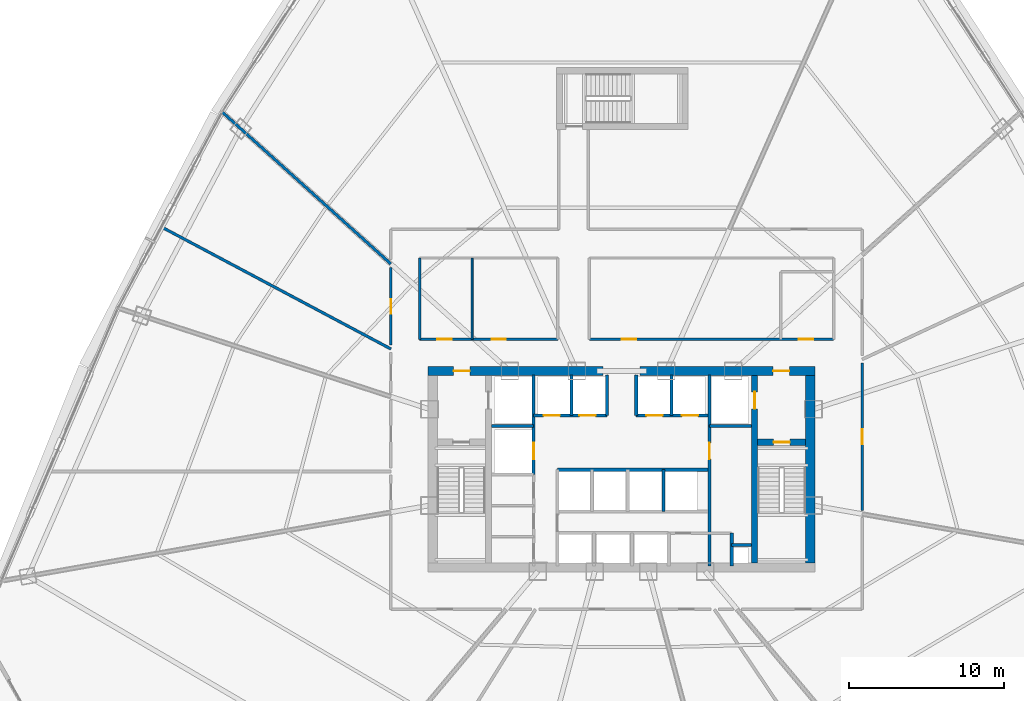
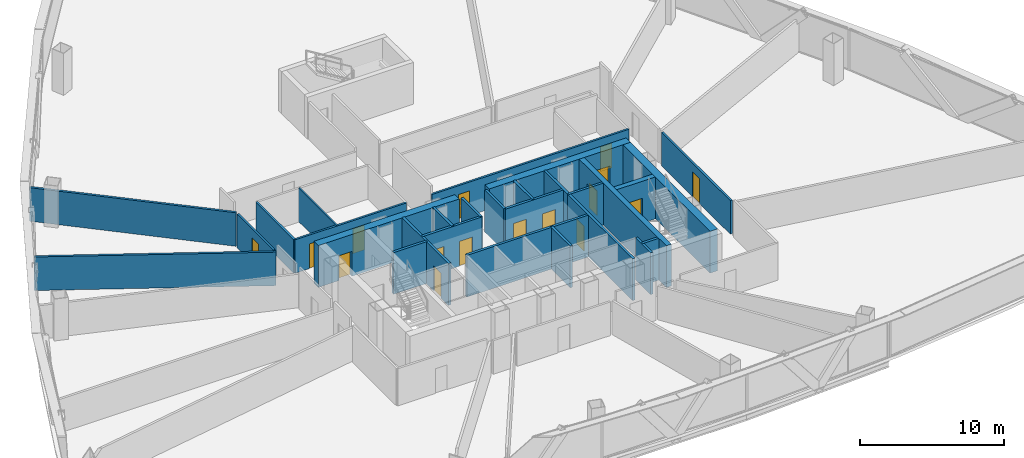
# One storey, part 30 of 36: 28 walls, 16 doors, 16 openings.
"""IFC4 building model written with IfcOpenShell, lengths in metres."""

import ifcopenshell
import ifcopenshell.guid

model = None  # the IFC model being written
_history = None  # IfcOwnerHistory: only IFC2X3 demands one
_inside = {}  # id of a spatial element -> (the spatial element, [elements in it])
_under = {}  # id of a project, library or spatial element -> (it, [spatial elements below it])
_declared = {}  # id of a project -> (the project, [libraries it declares])
_typed = {}  # id of a type object -> (the type object, [elements of that type])
_made_of = {}  # id of a material, layer set ... -> (it, [elements and type objects made of it])


def new_model(schema):
    """Start an empty IFC model of exactly this schema.

    Asked for "IFC4X3", IfcOpenShell would pick the latest addendum, in which some entities
    have other attributes; the version numbers below select the first issue.
    IFC2X3 requires an IfcOwnerHistory on every rooted entity: one is made here for all.
    """
    global model, _history
    if schema == "IFC4X3":
        model = ifcopenshell.file(schema_version=(4, 3, 0, 0))
    else:
        model = ifcopenshell.file(schema=schema)
    _inside.clear()
    _under.clear()
    _declared.clear()
    _typed.clear()
    _made_of.clear()
    _history = None
    if model.schema == "IFC2X3":
        org = make("IfcOrganization", Name="unknown")
        user = make(
            "IfcPersonAndOrganization",
            ThePerson=make("IfcPerson", FamilyName="unknown"),
            TheOrganization=org,
        )
        app = make(
            "IfcApplication",
            ApplicationDeveloper=org,
            Version="unknown",
            ApplicationFullName="unknown",
            ApplicationIdentifier="unknown",
        )
        _history = make(
            "IfcOwnerHistory",
            OwningUser=user,
            OwningApplication=app,
            ChangeAction="ADDED",
            CreationDate=0,
        )
    return model


def make(cls, **values):
    """One entity of the class cls with the attributes given. An attribute that is None is left unset."""
    return model.create_entity(
        cls, **{name: value for name, value in values.items() if value is not None}
    )


def rooted(cls, **values):
    """An entity with a GlobalId (a new one), such as an element, a storey or a relation."""
    return make(cls, GlobalId=ifcopenshell.guid.new(), OwnerHistory=_history, **values)


def si_unit(unit_type, name, prefix=None):
    """IfcSIUnit, for example si_unit("LENGTHUNIT", "METRE", prefix="MILLI")."""
    return make("IfcSIUnit", UnitType=unit_type, Prefix=prefix, Name=name)


def assignment(units):
    """IfcUnitAssignment: the units of a project."""
    return None if units is None else make("IfcUnitAssignment", Units=units)


def point(xyz):
    """IfcCartesianPoint."""
    return None if xyz is None else make("IfcCartesianPoint", Coordinates=xyz)


def direction(xyz):
    """IfcDirection."""
    return None if xyz is None else make("IfcDirection", DirectionRatios=xyz)


def frame(location, z_axis=None, x_axis=None):
    """IfcAxis2Placement3D, a coordinate frame: its origin and axes. An axis left out is left unset."""
    return make(
        "IfcAxis2Placement3D",
        Location=point(location),
        Axis=direction(z_axis),
        RefDirection=direction(x_axis),
    )


def frame_2d(location, x_axis=None):
    """IfcAxis2Placement2D, a coordinate frame in the plane: its origin and x axis."""
    return make(
        "IfcAxis2Placement2D", Location=point(location), RefDirection=direction(x_axis)
    )


def origin():
    """The frame at (0, 0, 0) with its axes left unset."""
    return frame((0.0, 0.0, 0.0))


def origin_with_axes():
    """The frame at (0, 0, 0) with the z axis (0, 0, 1) and the x axis (1, 0, 0) written out."""
    return frame((0.0, 0.0, 0.0), z_axis=(0.0, 0.0, 1.0), x_axis=(1.0, 0.0, 0.0))


def place(relative_to, where):
    """IfcLocalPlacement: puts the frame where relative to a parent placement (None: the world)."""
    return make(
        "IfcLocalPlacement", PlacementRelTo=relative_to, RelativePlacement=where
    )


def context(
    kind, dimensions, precision=None, world=None, true_north=None, identifier=None
):
    """IfcGeometricRepresentationContext, for example the 3D "Model" context."""
    return make(
        "IfcGeometricRepresentationContext",
        ContextIdentifier=identifier,
        ContextType=kind,
        CoordinateSpaceDimension=dimensions,
        Precision=precision,
        WorldCoordinateSystem=world,
        TrueNorth=true_north,
    )


def subcontext(parent, identifier, kind, view, scale=None):
    """IfcGeometricRepresentationSubContext, for example "Body" below "Model"."""
    return make(
        "IfcGeometricRepresentationSubContext",
        ContextIdentifier=identifier,
        ContextType=kind,
        ParentContext=parent,
        TargetScale=scale,
        TargetView=view,
    )


def project(units=None, contexts=None):
    """IfcProject with its units and contexts."""
    return rooted(
        "IfcProject",
        Name="project",
        RepresentationContexts=contexts,
        UnitsInContext=assignment(units),
    )


def spatial(cls, under=None, at=None, **own):
    """A site, building, storey or space (cls), placed at a placement, below another one or the project."""
    s = rooted(cls, ObjectPlacement=at, **own)
    if under is not None:
        _under.setdefault(under.id(), (under, []))[1].append(s)
    return s


def profile(cls, at=None, kind="AREA", **sizes):
    """A parametric profile (cls). Its sizes go by their IFC names, for example OverallWidth=200.0."""
    return make(cls, ProfileType=kind, Position=at, **sizes)


def rectangle(**sizes):
    """IfcRectangleProfileDef."""
    return profile("IfcRectangleProfileDef", **sizes)


def extrude(swept, where, along, depth):
    """IfcExtrudedAreaSolid: the profile swept, set in the frame where, extruded along a direction by depth."""
    return make(
        "IfcExtrudedAreaSolid",
        SweptArea=swept,
        Position=where,
        ExtrudedDirection=direction(along),
        Depth=depth,
    )


def shape(context_of_items, identifier, shape_type, items):
    """IfcShapeRepresentation: the items that make up one representation, for example the "Body"."""
    return make(
        "IfcShapeRepresentation",
        ContextOfItems=context_of_items,
        RepresentationIdentifier=identifier,
        RepresentationType=shape_type,
        Items=items,
    )


def source(mapping_origin, context_of_items, identifier, shape_type, items):
    """IfcRepresentationMap: a shape defined once, which mapped items show again and again."""
    return make(
        "IfcRepresentationMap",
        MappingOrigin=mapping_origin,
        MappedRepresentation=shape(context_of_items, identifier, shape_type, items),
    )


def transform(
    local_origin,
    x_axis=None,
    y_axis=None,
    z_axis=None,
    scale=None,
    scale2=None,
    scale3=None,
    uniform=True,
):
    """IfcCartesianTransformationOperator3D, or its non-uniform kind. x_axis, y_axis, z_axis: its Axis1, 2, 3."""
    if uniform:
        return make(
            "IfcCartesianTransformationOperator3D",
            Axis1=direction(x_axis),
            Axis2=direction(y_axis),
            LocalOrigin=point(local_origin),
            Scale=scale,
            Axis3=direction(z_axis),
        )
    return make(
        "IfcCartesianTransformationOperator3DnonUniform",
        Axis1=direction(x_axis),
        Axis2=direction(y_axis),
        LocalOrigin=point(local_origin),
        Scale=scale,
        Axis3=direction(z_axis),
        Scale2=scale2,
        Scale3=scale3,
    )


def mapped(mapping_source, mapping_target):
    """IfcMappedItem: shows the shape of a source again, moved by a transform."""
    return make(
        "IfcMappedItem", MappingSource=mapping_source, MappingTarget=mapping_target
    )


def material(Name=None, Category=None):
    """IfcMaterial."""
    return make("IfcMaterial", Name=Name, Category=Category)


def layer(
    of_material, thickness, ventilated=None, Name=None, Category=None, Priority=None
):
    """IfcMaterialLayer: one layer of a wall or slab, of a material (None: an air gap)."""
    return make(
        "IfcMaterialLayer",
        Material=of_material,
        LayerThickness=thickness,
        IsVentilated=ventilated,
        Name=Name,
        Category=Category,
        Priority=Priority,
    )


def layer_set(layers, Name=None):
    """IfcMaterialLayerSet."""
    return make("IfcMaterialLayerSet", MaterialLayers=layers, LayerSetName=Name)


def made_of(thing, what):
    """Note that an element or type object is made of a material, layer set ...; save() writes the relation."""
    if what is not None:
        _made_of.setdefault(what.id(), (what, []))[1].append(thing)
    return thing


def type_object(cls, material=None, **own):
    """A type object (cls), such as IfcWallType, which elements share."""
    return made_of(rooted(cls, **own), material)


def element(
    cls,
    number,
    at=None,
    inside=None,
    cuts=None,
    type_object=None,
    material=None,
    context=None,
    identifier="Body",
    shape_type=None,
    held_by="IfcProductDefinitionShape",
    body=None,
    shapes=None,
    **own,
):
    """One element of the class cls, such as IfcWall. Its Tag is "e" and its number.

    at: its placement. inside: the storey or other place that contains it. cuts: it is an
    opening in that element (IfcRelVoidsElement). A single representation is given by context,
    identifier, shape_type and body (its items); several are given by shapes. held_by: the class
    of the entity that holds the representations. save() writes the other relations.
    """
    e = rooted(cls, Tag="e%d" % number, ObjectPlacement=at, **own)
    if body is not None:
        shapes = [shape(context, identifier, shape_type, body)]
    if shapes is not None:
        e.Representation = make(held_by, Representations=shapes)
    if inside is not None:
        _inside.setdefault(inside.id(), (inside, []))[1].append(e)
    if cuts is not None:
        rooted(
            "IfcRelVoidsElement", RelatingBuildingElement=cuts, RelatedOpeningElement=e
        )
    if type_object is not None:
        _typed.setdefault(type_object.id(), (type_object, []))[1].append(e)
    return made_of(e, material)


def fill(opening, filler):
    """IfcRelFillsElement: the door or window that sits in an opening."""
    return rooted(
        "IfcRelFillsElement",
        RelatingOpeningElement=opening,
        RelatedBuildingElement=filler,
    )


def aggregate(whole, parts):
    """IfcRelAggregates: a whole, such as a stair, and the parts it consists of."""
    return rooted("IfcRelAggregates", RelatingObject=whole, RelatedObjects=parts)


def save(model, path):
    """Write the relations noted so far, then the file.

    IfcRelAggregates (storeys below a building ...), IfcRelContainedInSpatialStructure (elements
    in a storey), IfcRelDefinesByType, IfcRelAssociatesMaterial and IfcRelDeclares: one each for
    every whole, place, type object, material and project.
    """
    for whole, parts in _under.values():
        aggregate(whole, parts)
    for where, things in _inside.values():
        rooted(
            "IfcRelContainedInSpatialStructure",
            RelatedElements=things,
            RelatingStructure=where,
        )
    for kind, things in _typed.values():
        rooted("IfcRelDefinesByType", RelatedObjects=things, RelatingType=kind)
    for what, things in _made_of.values():
        rooted("IfcRelAssociatesMaterial", RelatedObjects=things, RelatingMaterial=what)
    for by, libraries in _declared.values():
        rooted("IfcRelDeclares", RelatingContext=by, RelatedDefinitions=libraries)
    model.write(path)


model = new_model("IFC4")

# Units and contexts
model_context = context("Model", 3, precision=1e-05, world=origin(), true_north=direction((0.0, 1.0)))
body_context = subcontext(model_context, "Body", "Model", "MODEL_VIEW")
ifc_project = project(units=[si_unit("LENGTHUNIT", "METRE"), si_unit("AREAUNIT", "SQUARE_METRE"), si_unit("VOLUMEUNIT", "CUBIC_METRE"), si_unit("PLANEANGLEUNIT", "RADIAN"), si_unit("MASSUNIT", "GRAM", prefix="KILO"), si_unit("THERMODYNAMICTEMPERATUREUNIT", "KELVIN"), si_unit("POWERUNIT", "WATT")], contexts=[model_context])

# Site, building, storey
site_placement = place(None, origin())
site = spatial("IfcSite", under=ifc_project, at=site_placement, CompositionType="ELEMENT")
building_placement = place(site_placement, origin())
building = spatial("IfcBuilding", under=site, at=building_placement, Name="Yunzhuo Pagoda Commons", CompositionType="ELEMENT")
storey_placement = place(building_placement, frame((0.0, 0.0, 103.97998046875)))
storey = spatial("IfcBuildingStorey", under=building, at=storey_placement, Name="L26", CompositionType="ELEMENT", Elevation=103.97998046875)

# Wall, opening, door
ifc_material_1 = material(Name="Concrete C60", Category="concrete")
ifc_layer_1 = layer(ifc_material_1, 0.60009765625)
ifc_layer_set_1 = layer_set([ifc_layer_1], Name="Concrete C60")
wall_type_1 = type_object("IfcWallType", Name="W-C02 Mid Core Shear Wall 600", PredefinedType="SHEAR", material=ifc_layer_set_1)
wall_1_placement = place(storey_placement, frame((35.5, 40.199951171875, 0.0), z_axis=(0.0, 0.0, 1.0), x_axis=(1.0, 0.0, 0.0)))
wall_1 = element("IfcWall", 1, at=wall_1_placement, inside=storey, type_object=wall_type_1, Name="L26 core shear wall NW", PredefinedType="SHEAR", context=body_context, shape_type="SweptSolid", body=[
    extrude(rectangle(XDim=11.300048828125, YDim=0.60009765625, at=frame_2d((5.64990234375, 0.0))), origin(), (0.0, 0.0, 1.0), 3.5400390625),
])
opening_1_placement = place(wall_1_placement, frame((1.64990234375, 0.0, 0.0)))
opening_1 = element("IfcOpeningElement", 2, at=opening_1_placement, cuts=wall_1, Name="Opening D-02", PredefinedType="OPENING", context=body_context, shape_type="SweptSolid", body=[
    extrude(rectangle(XDim=1.050048828125, YDim=2.10009765625, at=frame_2d((0.52490234375, 1.050048828125))), frame((0.0, 0.31005859375, 0.0), z_axis=(0.0, -1.0, 0.0), x_axis=(1.0, 0.0, 0.0)), (0.0, 0.0, 1.0), 0.6201171875),
])
ifc_material_2 = material(Name="Galvanized fire-resisting metal leaf")
door_type_1 = type_object("IfcDoorType", Name="D-02 Firefighting Lobby & Refuge Fire Door 1050x2100", OperationType="NOTDEFINED", PredefinedType="DOOR", material=ifc_material_2)
shared_shape_1 = source(origin(), body_context, "Body", "SweptSolid", [
    extrude(rectangle(XDim=1.050048828125, YDim=2.10009765625, at=frame_2d((0.52490234375, 1.050048828125))), frame((0.0, 0.02490234375, 0.0), z_axis=(0.0, -1.0, 0.0), x_axis=(1.0, 0.0, 0.0)), (0.0, 0.0, 1.0), 0.050048828125),
])
door_1_placement = place(opening_1_placement, frame((1.050048828125, 0.0, 0.0), z_axis=(0.0, 0.0, 1.0), x_axis=(-1.0, 0.0, 0.0)))
door_1 = element("IfcDoor", 3, at=door_1_placement, inside=storey, type_object=door_type_1, Name="L26 Firefighting Lobby 1 fire door", OperationType="SINGLE_SWING_LEFT", OverallHeight=2.10009765625, OverallWidth=1.050048828125, PredefinedType="DOOR", context=body_context, shape_type="MappedRepresentation", body=[
    mapped(shared_shape_1, transform((0.0, 0.0, 0.0), scale=1.0)),
])
fill(opening_1, door_1)

wall_2_placement = place(storey_placement, frame((49.199951171875, 40.199951171875, 0.0), z_axis=(0.0, 0.0, 1.0), x_axis=(1.0, 0.0, 0.0)))
wall_2 = element("IfcWall", 4, at=wall_2_placement, inside=storey, type_object=wall_type_1, Name="L26 core shear wall NE", PredefinedType="SHEAR", context=body_context, shape_type="SweptSolid", body=[
    extrude(rectangle(XDim=11.300048828125, YDim=0.60009765625, at=frame_2d((5.64990234375, 0.0))), origin(), (0.0, 0.0, 1.0), 3.5400390625),
])
opening_2_placement = place(wall_2_placement, frame((8.60009765625, 0.0, 0.0)))
opening_2 = element("IfcOpeningElement", 5, at=opening_2_placement, cuts=wall_2, Name="Opening D-02", PredefinedType="OPENING", context=body_context, shape_type="SweptSolid", body=[
    extrude(rectangle(XDim=1.050048828125, YDim=2.10009765625, at=frame_2d((0.52490234375, 1.050048828125))), frame((0.0, 0.31005859375, 0.0), z_axis=(0.0, -1.0, 0.0), x_axis=(1.0, 0.0, 0.0)), (0.0, 0.0, 1.0), 0.6201171875),
])
door_2_placement = place(opening_2_placement, frame((1.050048828125, 0.0, 0.0), z_axis=(0.0, 0.0, 1.0), x_axis=(-1.0, 0.0, 0.0)))
door_2 = element("IfcDoor", 6, at=door_2_placement, inside=storey, type_object=door_type_1, Name="L26 Firefighting Lobby 2 fire door", OperationType="SINGLE_SWING_RIGHT", OverallHeight=2.10009765625, OverallWidth=1.050048828125, PredefinedType="DOOR", context=body_context, shape_type="MappedRepresentation", body=[
    mapped(shared_shape_1, transform((0.0, 0.0, 0.0), scale=1.0)),
])
fill(opening_2, door_2)

# Wall
wall_3_placement = place(storey_placement, frame((60.199951171875, 27.800048828125, 0.0), z_axis=(0.0, 0.0, 1.0), x_axis=(0.0, 1.0, 0.0)))
element("IfcWall", 7, at=wall_3_placement, inside=storey, type_object=wall_type_1, Name="L26 core shear wall E", PredefinedType="SHEAR", context=body_context, shape_type="SweptSolid", body=[
    extrude(rectangle(XDim=12.099853515625, YDim=0.60009765625, at=frame_2d((6.0498046875, 0.0))), origin(), (0.0, 0.0, 1.0), 3.5400390625),
])

# Wall, openings, doors
ifc_material_3 = material(Name="Gypsum plasterboard on acoustic stud")
ifc_layer_2 = layer(ifc_material_3, 0.159912109375)
ifc_layer_set_2 = layer_set([ifc_layer_2], Name="Gypsum plasterboard on acoustic stud")
wall_type_2 = type_object("IfcWallType", Name="W-COR1 Tower Rated Corridor Wall 160", PredefinedType="PARTITIONING", material=ifc_layer_set_2)
wall_4_placement = place(storey_placement, frame((34.949951171875, 42.25, 0.0), z_axis=(0.0, 0.0, 1.0), x_axis=(1.0, 0.0, 0.0)))
wall_4 = element("IfcWall", 8, at=wall_4_placement, inside=storey, type_object=wall_type_2, Name="L26 interior wall IW-L26-ISLWS", PredefinedType="PARTITIONING", context=body_context, shape_type="SweptSolid", body=[
    extrude(rectangle(XDim=8.929931640625, YDim=0.159912109375, at=frame_2d((4.46484375, 0.0))), origin(), (0.0, 0.0, 1.0), 2.840087890625),
])
opening_3_placement = place(wall_4_placement, frame((1.14990234375, 0.0, 0.0)))
opening_3 = element("IfcOpeningElement", 9, at=opening_3_placement, cuts=wall_4, Name="Opening D-04", PredefinedType="OPENING", context=body_context, shape_type="SweptSolid", body=[
    extrude(rectangle(XDim=0.919921875, YDim=2.10009765625, at=frame_2d((0.4599609375, 1.050048828125))), frame((0.0, 0.08984375, 0.0), z_axis=(0.0, -1.0, 0.0), x_axis=(1.0, 0.0, 0.0)), (0.0, 0.0, 1.0), 0.179931640625),
])
opening_4_placement = place(wall_4_placement, frame((4.64990234375, 0.0, 0.0)))
opening_4 = element("IfcOpeningElement", 10, at=opening_4_placement, cuts=wall_4, Name="Opening D-04", PredefinedType="OPENING", context=body_context, shape_type="SweptSolid", body=[
    extrude(rectangle(XDim=0.919921875, YDim=2.10009765625, at=frame_2d((0.4599609375, 1.050048828125))), frame((0.0, 0.08984375, 0.0), z_axis=(0.0, -1.0, 0.0), x_axis=(1.0, 0.0, 0.0)), (0.0, 0.0, 1.0), 0.179931640625),
])
ifc_material_4 = material(Name="Powder-coated aluminium and timber acoustic leaf", Category="wood")
door_type_2 = type_object("IfcDoorType", Name="D-04 Bedroom & Study Interior Door 920x2100", OperationType="NOTDEFINED", PredefinedType="DOOR", material=ifc_material_4)
shared_shape_2 = source(origin(), body_context, "Body", "SweptSolid", [
    extrude(rectangle(XDim=0.919921875, YDim=2.10009765625, at=frame_2d((0.4599609375, 1.050048828125))), frame((0.0, 0.02490234375, 0.0), z_axis=(0.0, -1.0, 0.0), x_axis=(1.0, 0.0, 0.0)), (0.0, 0.0, 1.0), 0.050048828125),
])
door_3_placement = place(opening_3_placement, frame((0.919921875, 0.0, 0.0), z_axis=(0.0, 0.0, 1.0), x_axis=(-1.0, 0.0, 0.0)))
door_3 = element("IfcDoor", 11, at=door_3_placement, inside=storey, type_object=door_type_2, Name="L26 laundry door", OperationType="SINGLE_SWING_LEFT", OverallHeight=2.10009765625, OverallWidth=0.919921875, PredefinedType="DOOR", context=body_context, shape_type="MappedRepresentation", body=[
    mapped(shared_shape_2, transform((0.0, 0.0, 0.0), scale=1.0)),
])
fill(opening_3, door_3)
door_4_placement = place(opening_4_placement, frame((0.919921875, 0.0, 0.0), z_axis=(0.0, 0.0, 1.0), x_axis=(-1.0, 0.0, 0.0)))
door_4 = element("IfcDoor", 12, at=door_4_placement, inside=storey, type_object=door_type_2, Name="L26 study commons W door", OperationType="SINGLE_SWING_RIGHT", OverallHeight=2.10009765625, OverallWidth=0.919921875, PredefinedType="DOOR", context=body_context, shape_type="MappedRepresentation", body=[
    mapped(shared_shape_2, transform((0.0, 0.0, 0.0), scale=1.0)),
])
fill(opening_4, door_4)

# Wall
wall_5_placement = place(storey_placement, frame((34.949951171875, 42.25, 0.0), z_axis=(0.0, 0.0, 1.0), x_axis=(0.0, 1.0, 0.0)))
element("IfcWall", 13, at=wall_5_placement, inside=storey, type_object=wall_type_2, Name="L26 interior wall IW-L26-ISLWW", PredefinedType="PARTITIONING", context=body_context, shape_type="SweptSolid", body=[
    extrude(rectangle(XDim=5.25, YDim=0.159912109375, at=frame_2d((2.625, 0.0))), origin(), (0.0, 0.0, 1.0), 2.840087890625),
])

# Wall, openings, doors
wall_6_placement = place(storey_placement, frame((45.919921875, 42.25, 0.0), z_axis=(0.0, 0.0, 1.0), x_axis=(1.0, 0.0, 0.0)))
wall_6 = element("IfcWall", 14, at=wall_6_placement, inside=storey, type_object=wall_type_2, Name="L26 interior wall IW-L26-ISLES", PredefinedType="PARTITIONING", context=body_context, shape_type="SweptSolid", body=[
    extrude(rectangle(XDim=15.780029296875, YDim=0.159912109375, at=frame_2d((7.89013671875, 0.0))), origin(), (0.0, 0.0, 1.0), 2.840087890625),
])
opening_5_placement = place(wall_6_placement, frame((2.10009765625, 0.0, 0.0)))
opening_5 = element("IfcOpeningElement", 15, at=opening_5_placement, cuts=wall_6, Name="Opening D-04", PredefinedType="OPENING", context=body_context, shape_type="SweptSolid", body=[
    extrude(rectangle(XDim=0.919921875, YDim=2.10009765625, at=frame_2d((0.4599609375, 1.050048828125))), frame((0.0, 0.08984375, 0.0), z_axis=(0.0, -1.0, 0.0), x_axis=(1.0, 0.0, 0.0)), (0.0, 0.0, 1.0), 0.179931640625),
])
opening_6_placement = place(wall_6_placement, frame((13.530029296875, 0.0, 0.0)))
opening_6 = element("IfcOpeningElement", 16, at=opening_6_placement, cuts=wall_6, Name="Opening D-11", PredefinedType="OPENING", context=body_context, shape_type="SweptSolid", body=[
    extrude(rectangle(XDim=0.93994140625, YDim=2.10009765625, at=frame_2d((0.469970703125, 1.050048828125))), frame((0.0, 0.08984375, 0.0), z_axis=(0.0, -1.0, 0.0), x_axis=(1.0, 0.0, 0.0)), (0.0, 0.0, 1.0), 0.179931640625),
])
door_type_3 = type_object("IfcDoorType", Name="D-11 Accessible Washroom Fire Door 940x2100", OperationType="NOTDEFINED", PredefinedType="DOOR", material=ifc_material_2)
shared_shape_3 = source(origin(), body_context, "Body", "SweptSolid", [
    extrude(rectangle(XDim=0.93994140625, YDim=2.10009765625, at=frame_2d((0.469970703125, 1.050048828125))), frame((0.0, 0.02490234375, 0.0), z_axis=(0.0, -1.0, 0.0), x_axis=(1.0, 0.0, 0.0)), (0.0, 0.0, 1.0), 0.050048828125),
])
door_5_placement = place(opening_6_placement, frame((0.93994140625, 0.0, 0.0), z_axis=(0.0, 0.0, 1.0), x_axis=(-1.0, 0.0, 0.0)))
door_5 = element("IfcDoor", 17, at=door_5_placement, inside=storey, type_object=door_type_3, Name="L26 accessible WC door", OperationType="SINGLE_SWING_RIGHT", OverallHeight=2.10009765625, OverallWidth=0.93994140625, PredefinedType="DOOR", context=body_context, shape_type="MappedRepresentation", body=[
    mapped(shared_shape_3, transform((0.0, 0.0, 0.0), scale=1.0)),
])
fill(opening_6, door_5)
door_6_placement = place(opening_5_placement, frame((0.919921875, 0.0, 0.0), z_axis=(0.0, 0.0, 1.0), x_axis=(-1.0, 0.0, 0.0)))
door_6 = element("IfcDoor", 18, at=door_6_placement, inside=storey, type_object=door_type_2, Name="L26 reading commons door", OperationType="SINGLE_SWING_LEFT", OverallHeight=2.10009765625, OverallWidth=0.919921875, PredefinedType="DOOR", context=body_context, shape_type="MappedRepresentation", body=[
    mapped(shared_shape_2, transform((0.0, 0.0, 0.0), scale=1.0)),
])
fill(opening_5, door_6)

# Wall, opening, door
wall_7_placement = place(storey_placement, frame((33.10009765625, 41.87158203125, 0.0), z_axis=(0.0, 0.0, 1.0), x_axis=(0.0, 1.0, 0.0)))
wall_7 = element("IfcWall", 19, at=wall_7_placement, inside=storey, type_object=wall_type_2, Name="L26 interior wall IW-L26-CWL05", PredefinedType="PARTITIONING", context=body_context, shape_type="SweptSolid", body=[
    extrude(rectangle(XDim=5.024658203125, YDim=0.159912109375, at=frame_2d((2.51220703125, 0.0))), origin(), (0.0, 0.0, 1.0), 2.840087890625),
])
opening_7_placement = place(wall_7_placement, frame((2.022705078125, 0.0, 0.0)))
opening_7 = element("IfcOpeningElement", 20, at=opening_7_placement, cuts=wall_7, Name="Opening D-06", PredefinedType="OPENING", context=body_context, shape_type="SweptSolid", body=[
    extrude(rectangle(XDim=0.949951171875, YDim=2.10009765625, at=frame_2d((0.47509765625, 1.050048828125))), frame((0.0, 0.08984375, 0.0), z_axis=(0.0, -1.0, 0.0), x_axis=(1.0, 0.0, 0.0)), (0.0, 0.0, 1.0), 0.179931640625),
])
door_type_4 = type_object("IfcDoorType", Name="D-06 Co-Living Suite Entrance Fire Door 950x2100", OperationType="NOTDEFINED", PredefinedType="DOOR", material=ifc_material_2)
shared_shape_4 = source(origin(), body_context, "Body", "SweptSolid", [
    extrude(rectangle(XDim=0.949951171875, YDim=2.10009765625, at=frame_2d((0.47509765625, 1.050048828125))), frame((0.0, 0.02490234375, 0.0), z_axis=(0.0, -1.0, 0.0), x_axis=(1.0, 0.0, 0.0)), (0.0, 0.0, 1.0), 0.050048828125),
])
door_7_placement = place(opening_7_placement, origin_with_axes())
door_7 = element("IfcDoor", 21, at=door_7_placement, inside=storey, type_object=door_type_4, Name="L26 unit 05 entrance door", OperationType="SINGLE_SWING_LEFT", OverallHeight=2.10009765625, OverallWidth=0.949951171875, PredefinedType="DOOR", context=body_context, shape_type="MappedRepresentation", body=[
    mapped(shared_shape_4, transform((0.0, 0.0, 0.0), scale=1.0)),
])
fill(opening_7, door_7)

wall_8_placement = place(storey_placement, frame((63.550048828125, 40.7314453125, 0.0), z_axis=(0.0, 0.0, 1.0), x_axis=(0.0, -1.0, 0.0)))
wall_8 = element("IfcWall", 22, at=wall_8_placement, inside=storey, type_object=wall_type_2, Name="L26 interior wall IW-L26-CWL14", PredefinedType="PARTITIONING", context=body_context, shape_type="SweptSolid", body=[
    extrude(rectangle(XDim=9.553466796875, YDim=0.159912109375, at=frame_2d((4.77685546875, 0.0))), origin(), (0.0, 0.0, 1.0), 2.840087890625),
])
opening_8_placement = place(wall_8_placement, frame((4.3017578125, 0.0, 0.0)))
opening_8 = element("IfcOpeningElement", 23, at=opening_8_placement, cuts=wall_8, Name="Opening D-06", PredefinedType="OPENING", context=body_context, shape_type="SweptSolid", body=[
    extrude(rectangle(XDim=0.949951171875, YDim=2.10009765625, at=frame_2d((0.47509765625, 1.050048828125))), frame((0.0, 0.08984375, 0.0), z_axis=(0.0, -1.0, 0.0), x_axis=(1.0, 0.0, 0.0)), (0.0, 0.0, 1.0), 0.179931640625),
])
door_8_placement = place(opening_8_placement, origin_with_axes())
door_8 = element("IfcDoor", 24, at=door_8_placement, inside=storey, type_object=door_type_4, Name="L26 Shared Resident Kitchen and Pantry door", OperationType="SINGLE_SWING_LEFT", OverallHeight=2.10009765625, OverallWidth=0.949951171875, PredefinedType="DOOR", context=body_context, shape_type="MappedRepresentation", body=[
    mapped(shared_shape_4, transform((0.0, 0.0, 0.0), scale=1.0)),
])
fill(opening_8, door_8)

# Walls
ifc_layer_3 = layer(ifc_material_3, 0.1201171875)
ifc_layer_set_3 = layer_set([ifc_layer_3], Name="Gypsum plasterboard on acoustic stud")
wall_type_3 = type_object("IfcWallType", Name="W-PRT1 Suite & Bathroom Partition 120", PredefinedType="PARTITIONING", material=ifc_layer_set_3)
wall_9_placement = place(storey_placement, frame((38.35009765625, 42.25, 0.0), z_axis=(0.0, 0.0, 1.0), x_axis=(0.0, 1.0, 0.0)))
element("IfcWall", 25, at=wall_9_placement, inside=storey, type_object=wall_type_3, Name="L26 interior wall IW-L26-ISLW1", PredefinedType="PARTITIONING", context=body_context, shape_type="SweptSolid", body=[
    extrude(rectangle(XDim=5.25, YDim=0.1201171875, at=frame_2d((2.625, 0.0))), origin(), (0.0, 0.0, 1.0), 2.840087890625),
])
ifc_layer_4 = layer(ifc_material_3, 0.179931640625)
ifc_layer_set_4 = layer_set([ifc_layer_4], Name="Gypsum plasterboard on acoustic stud")
wall_type_4 = type_object("IfcWallType", Name="W-PRT2 Acoustic Unit Demising Wall 180", PredefinedType="PARTITIONING", material=ifc_layer_set_4)
wall_10_placement = place(storey_placement, frame((33.10009765625, 47.115966796875, 0.0), z_axis=(0.0, 0.0, 1.0), x_axis=(-0.7431435128, 0.669132064232, 0.0)))
element("IfcWall", 26, at=wall_10_placement, inside=storey, type_object=wall_type_4, Name="L26 interior wall IW-L26-RAD04", PredefinedType="PARTITIONING", context=body_context, shape_type="SweptSolid", body=[
    extrude(rectangle(XDim=14.669189453125, YDim=0.179931640625, at=frame_2d((7.33447265625, 0.0))), origin(), (0.0, 0.0, 1.0), 2.840087890625),
])
wall_11_placement = place(storey_placement, frame((33.10009765625, 41.62255859375, 0.0), z_axis=(0.0, 0.0, 1.0), x_axis=(-0.88295130371, 0.469464583624, 0.0)))
element("IfcWall", 27, at=wall_11_placement, inside=storey, type_object=wall_type_4, Name="L26 interior wall IW-L26-RAD05", PredefinedType="PARTITIONING", context=body_context, shape_type="SweptSolid", body=[
    extrude(rectangle(XDim=16.808837890625, YDim=0.179931640625, at=frame_2d((8.404296875, 0.0))), origin(), (0.0, 0.0, 1.0), 2.840087890625),
])

# Wall, opening, door
ifc_layer_5 = layer(ifc_material_1, 0.39990234375)
ifc_layer_set_5 = layer_set([ifc_layer_5], Name="Concrete C60")
wall_type_5 = type_object("IfcWallType", Name="W-S01 Internal Core Shear Web 400", PredefinedType="SHEAR", material=ifc_layer_set_5)
wall_12_placement = place(storey_placement, frame((56.60009765625, 27.800048828125, 0.0), z_axis=(0.0, 0.0, 1.0), x_axis=(0.0, 1.0, 0.0)))
wall_12 = element("IfcWall", 28, at=wall_12_placement, inside=storey, type_object=wall_type_5, Name="L26 core shear wall WEBE", PredefinedType="SHEAR", context=body_context, shape_type="SweptSolid", body=[
    extrude(rectangle(XDim=12.099853515625, YDim=0.39990234375, at=frame_2d((6.0498046875, 0.0))), origin(), (0.0, 0.0, 1.0), 3.5400390625),
])
opening_9_placement = place(wall_12_placement, frame((9.949951171875, 0.0, 0.0)))
opening_9 = element("IfcOpeningElement", 29, at=opening_9_placement, cuts=wall_12, Name="Opening LD-01", PredefinedType="OPENING", context=body_context, shape_type="SweptSolid", body=[
    extrude(rectangle(XDim=1.10009765625, YDim=2.10009765625, at=frame_2d((0.550048828125, 1.050048828125))), frame((0.0, 0.2099609375, 0.0), z_axis=(0.0, -1.0, 0.0), x_axis=(1.0, 0.0, 0.0)), (0.0, 0.0, 1.0), 0.419921875),
])
door_type_5 = type_object("IfcDoorType", Name="LD-01 Firefighting Lift Landing Door 1100x2100", OperationType="DOUBLE_DOOR_SLIDING", PredefinedType="DOOR", material=ifc_material_2)
shared_shape_5 = source(origin(), body_context, "Body", "SweptSolid", [
    extrude(rectangle(XDim=1.10009765625, YDim=2.10009765625, at=frame_2d((0.550048828125, 1.050048828125))), frame((0.0, 0.02490234375, 0.0), z_axis=(0.0, -1.0, 0.0), x_axis=(1.0, 0.0, 0.0)), (0.0, 0.0, 1.0), 0.050048828125),
])
door_9_placement = place(opening_9_placement, origin_with_axes())
door_9 = element("IfcDoor", 30, at=door_9_placement, inside=storey, type_object=door_type_5, Name="L26 Firefighting lift FL-2 landing door", OperationType="DOUBLE_DOOR_SLIDING", OverallHeight=2.10009765625, OverallWidth=1.10009765625, PredefinedType="DOOR", context=body_context, shape_type="MappedRepresentation", body=[
    mapped(shared_shape_5, transform((0.0, 0.0, 0.0), scale=1.0)),
])
fill(opening_9, door_9)

wall_13_placement = place(storey_placement, frame((56.800048828125, 35.60009765625, 0.0), z_axis=(0.0, 0.0, 1.0), x_axis=(1.0, 0.0, 0.0)))
wall_13 = element("IfcWall", 31, at=wall_13_placement, inside=storey, type_object=wall_type_5, Name="L26 core shear wall STE", PredefinedType="SHEAR", context=body_context, shape_type="SweptSolid", body=[
    extrude(rectangle(XDim=3.099853515625, YDim=0.39990234375, at=frame_2d((1.5498046875, 0.0))), origin(), (0.0, 0.0, 1.0), 3.5400390625),
])
opening_10_placement = place(wall_13_placement, frame((1.02001953125, 0.0, 0.0)))
opening_10 = element("IfcOpeningElement", 32, at=opening_10_placement, cuts=wall_13, Name="Opening D-01", PredefinedType="OPENING", context=body_context, shape_type="SweptSolid", body=[
    extrude(rectangle(XDim=1.050048828125, YDim=2.10009765625, at=frame_2d((0.52490234375, 1.050048828125))), frame((0.0, 0.2099609375, 0.0), z_axis=(0.0, -1.0, 0.0), x_axis=(1.0, 0.0, 0.0)), (0.0, 0.0, 1.0), 0.419921875),
])
door_type_6 = type_object("IfcDoorType", Name="D-01 Smokeproof Stair Fire Door 1050x2100", OperationType="NOTDEFINED", PredefinedType="DOOR", material=ifc_material_2)
door_10_placement = place(opening_10_placement, frame((1.050048828125, 0.0, 0.0), z_axis=(0.0, 0.0, 1.0), x_axis=(-1.0, 0.0, 0.0)))
door_10 = element("IfcDoor", 33, at=door_10_placement, inside=storey, type_object=door_type_6, Name="L26 Stair ST2 fire door", OperationType="SINGLE_SWING_RIGHT", OverallHeight=2.10009765625, OverallWidth=1.050048828125, PredefinedType="DOOR", context=body_context, shape_type="MappedRepresentation", body=[
    mapped(shared_shape_1, transform((0.0, 0.0, 0.0), scale=1.0)),
])
fill(opening_10, door_10)

ifc_material_5 = material(Name="Concrete C40", Category="concrete")
ifc_layer_6 = layer(ifc_material_5, 0.199951171875)
ifc_layer_set_6 = layer_set([ifc_layer_6], Name="Concrete C40")
wall_type_6 = type_object("IfcWallType", Name="W-SHF Shaft & Stair Enclosure Wall 200", PredefinedType="SOLIDWALL", material=ifc_layer_set_6)
wall_14_placement = place(storey_placement, frame((42.320068359375, 33.5, 0.0), z_axis=(0.0, 0.0, 1.0), x_axis=(0.0, 1.0, 0.0)))
wall_14 = element("IfcWall", 34, at=wall_14_placement, inside=storey, type_object=wall_type_6, Name="L26 interior wall IW-L26-FL1E", PredefinedType="SOLIDWALL", context=body_context, shape_type="SweptSolid", body=[
    extrude(rectangle(XDim=6.449951171875, YDim=0.199951171875, at=frame_2d((3.22509765625, 0.0))), origin(), (0.0, 0.0, 1.0), 3.5400390625),
])
opening_11_placement = place(wall_14_placement, frame((1.0, 0.0, 0.0)))
opening_11 = element("IfcOpeningElement", 35, at=opening_11_placement, cuts=wall_14, Name="Opening LD-02", PredefinedType="OPENING", context=body_context, shape_type="SweptSolid", body=[
    extrude(rectangle(XDim=1.050048828125, YDim=2.10009765625, at=frame_2d((0.52490234375, 1.050048828125))), frame((0.0, 0.10986328125, 0.0), z_axis=(0.0, -1.0, 0.0), x_axis=(1.0, 0.0, 0.0)), (0.0, 0.0, 1.0), 0.219970703125),
])
door_type_7 = type_object("IfcDoorType", Name="LD-02 Passenger Lift Landing Door 1050x2100", OperationType="DOUBLE_DOOR_SLIDING", PredefinedType="DOOR", material=ifc_material_2)
door_11_placement = place(opening_11_placement, origin_with_axes())
door_11 = element("IfcDoor", 36, at=door_11_placement, inside=storey, type_object=door_type_7, Name="L26 Service lift SL-1 landing door", OperationType="DOUBLE_DOOR_SLIDING", OverallHeight=2.10009765625, OverallWidth=1.050048828125, PredefinedType="DOOR", context=body_context, shape_type="MappedRepresentation", body=[
    mapped(shared_shape_1, transform((0.0, 0.0, 0.0), scale=1.0)),
])
fill(opening_11, door_11)

# Walls
wall_15_placement = place(storey_placement, frame((39.60009765625, 36.64990234375, 0.0), z_axis=(0.0, 0.0, 1.0), x_axis=(1.0, 0.0, 0.0)))
element("IfcWall", 37, at=wall_15_placement, inside=storey, type_object=wall_type_6, Name="L26 interior wall IW-L26-FL1S", PredefinedType="SOLIDWALL", context=body_context, shape_type="SweptSolid", body=[
    extrude(rectangle(XDim=2.719970703125, YDim=0.199951171875, at=frame_2d((1.35986328125, 0.0))), origin(), (0.0, 0.0, 1.0), 3.5400390625),
])
wall_16_placement = place(storey_placement, frame((53.679931640625, 36.64990234375, 0.0), z_axis=(0.0, 0.0, 1.0), x_axis=(0.0, 1.0, 0.0)))
element("IfcWall", 38, at=wall_16_placement, inside=storey, type_object=wall_type_6, Name="L26 interior wall IW-L26-FL2W", PredefinedType="SOLIDWALL", context=body_context, shape_type="SweptSolid", body=[
    extrude(rectangle(XDim=3.300048828125, YDim=0.199951171875, at=frame_2d((1.64990234375, 0.0))), origin(), (0.0, 0.0, 1.0), 3.5400390625),
])
wall_17_placement = place(storey_placement, frame((53.679931640625, 36.64990234375, 0.0), z_axis=(0.0, 0.0, 1.0), x_axis=(1.0, 0.0, 0.0)))
element("IfcWall", 39, at=wall_17_placement, inside=storey, type_object=wall_type_6, Name="L26 interior wall IW-L26-FL2S", PredefinedType="SOLIDWALL", context=body_context, shape_type="SweptSolid", body=[
    extrude(rectangle(XDim=2.719970703125, YDim=0.199951171875, at=frame_2d((1.35986328125, 0.0))), origin(), (0.0, 0.0, 1.0), 3.5400390625),
])

# Wall, openings, doors
wall_18_placement = place(storey_placement, frame((42.320068359375, 37.320068359375, 0.0), z_axis=(0.0, 0.0, 1.0), x_axis=(1.0, 0.0, 0.0)))
wall_18 = element("IfcWall", 40, at=wall_18_placement, inside=storey, type_object=wall_type_6, Name="L26 interior wall IW-L26-LBNW", PredefinedType="SOLIDWALL", context=body_context, shape_type="SweptSolid", body=[
    extrude(rectangle(XDim=4.72998046875, YDim=0.199951171875, at=frame_2d((2.364990234375, 0.0))), origin(), (0.0, 0.0, 1.0), 3.5400390625),
])
opening_12_placement = place(wall_18_placement, frame((0.64990234375, 0.0, 0.0)))
opening_12 = element("IfcOpeningElement", 41, at=opening_12_placement, cuts=wall_18, Name="Opening LD-02", PredefinedType="OPENING", context=body_context, shape_type="SweptSolid", body=[
    extrude(rectangle(XDim=1.050048828125, YDim=2.10009765625, at=frame_2d((0.52490234375, 1.050048828125))), frame((0.0, 0.10986328125, 0.0), z_axis=(0.0, -1.0, 0.0), x_axis=(1.0, 0.0, 0.0)), (0.0, 0.0, 1.0), 0.219970703125),
])
opening_13_placement = place(wall_18_placement, frame((2.949951171875, 0.0, 0.0)))
opening_13 = element("IfcOpeningElement", 42, at=opening_13_placement, cuts=wall_18, Name="Opening LD-02", PredefinedType="OPENING", context=body_context, shape_type="SweptSolid", body=[
    extrude(rectangle(XDim=1.050048828125, YDim=2.10009765625, at=frame_2d((0.52490234375, 1.050048828125))), frame((0.0, 0.10986328125, 0.0), z_axis=(0.0, -1.0, 0.0), x_axis=(1.0, 0.0, 0.0)), (0.0, 0.0, 1.0), 0.219970703125),
])
door_12_placement = place(opening_12_placement, frame((1.050048828125, 0.0, 0.0), z_axis=(0.0, 0.0, 1.0), x_axis=(-1.0, 0.0, 0.0)))
door_12 = element("IfcDoor", 43, at=door_12_placement, inside=storey, type_object=door_type_7, Name="L26 Passenger lift PL-L1 landing door", OperationType="DOUBLE_DOOR_SLIDING", OverallHeight=2.10009765625, OverallWidth=1.050048828125, PredefinedType="DOOR", context=body_context, shape_type="MappedRepresentation", body=[
    mapped(shared_shape_1, transform((0.0, 0.0, 0.0), scale=1.0)),
])
fill(opening_12, door_12)
door_13_placement = place(opening_13_placement, frame((1.050048828125, 0.0, 0.0), z_axis=(0.0, 0.0, 1.0), x_axis=(-1.0, 0.0, 0.0)))
door_13 = element("IfcDoor", 44, at=door_13_placement, inside=storey, type_object=door_type_7, Name="L26 Passenger lift PL-L2 landing door", OperationType="DOUBLE_DOOR_SLIDING", OverallHeight=2.10009765625, OverallWidth=1.050048828125, PredefinedType="DOOR", context=body_context, shape_type="MappedRepresentation", body=[
    mapped(shared_shape_1, transform((0.0, 0.0, 0.0), scale=1.0)),
])
fill(opening_13, door_13)

wall_19_placement = place(storey_placement, frame((48.949951171875, 37.320068359375, 0.0), z_axis=(0.0, 0.0, 1.0), x_axis=(1.0, 0.0, 0.0)))
wall_19 = element("IfcWall", 45, at=wall_19_placement, inside=storey, type_object=wall_type_6, Name="L26 interior wall IW-L26-LBNE", PredefinedType="SOLIDWALL", context=body_context, shape_type="SweptSolid", body=[
    extrude(rectangle(XDim=4.72998046875, YDim=0.199951171875, at=frame_2d((2.364990234375, 0.0))), origin(), (0.0, 0.0, 1.0), 3.5400390625),
])
opening_14_placement = place(wall_19_placement, frame((0.64990234375, 0.0, 0.0)))
opening_14 = element("IfcOpeningElement", 46, at=opening_14_placement, cuts=wall_19, Name="Opening LD-02", PredefinedType="OPENING", context=body_context, shape_type="SweptSolid", body=[
    extrude(rectangle(XDim=1.050048828125, YDim=2.10009765625, at=frame_2d((0.52490234375, 1.050048828125))), frame((0.0, 0.10986328125, 0.0), z_axis=(0.0, -1.0, 0.0), x_axis=(1.0, 0.0, 0.0)), (0.0, 0.0, 1.0), 0.219970703125),
])
opening_15_placement = place(wall_19_placement, frame((2.949951171875, 0.0, 0.0)))
opening_15 = element("IfcOpeningElement", 47, at=opening_15_placement, cuts=wall_19, Name="Opening LD-02", PredefinedType="OPENING", context=body_context, shape_type="SweptSolid", body=[
    extrude(rectangle(XDim=1.050048828125, YDim=2.10009765625, at=frame_2d((0.52490234375, 1.050048828125))), frame((0.0, 0.10986328125, 0.0), z_axis=(0.0, -1.0, 0.0), x_axis=(1.0, 0.0, 0.0)), (0.0, 0.0, 1.0), 0.219970703125),
])
door_14_placement = place(opening_14_placement, frame((1.050048828125, 0.0, 0.0), z_axis=(0.0, 0.0, 1.0), x_axis=(-1.0, 0.0, 0.0)))
door_14 = element("IfcDoor", 48, at=door_14_placement, inside=storey, type_object=door_type_7, Name="L26 Passenger lift PL-L3 landing door", OperationType="DOUBLE_DOOR_SLIDING", OverallHeight=2.10009765625, OverallWidth=1.050048828125, PredefinedType="DOOR", context=body_context, shape_type="MappedRepresentation", body=[
    mapped(shared_shape_1, transform((0.0, 0.0, 0.0), scale=1.0)),
])
fill(opening_14, door_14)
door_15_placement = place(opening_15_placement, frame((1.050048828125, 0.0, 0.0), z_axis=(0.0, 0.0, 1.0), x_axis=(-1.0, 0.0, 0.0)))
door_15 = element("IfcDoor", 49, at=door_15_placement, inside=storey, type_object=door_type_7, Name="L26 Passenger lift PL-L4 landing door", OperationType="DOUBLE_DOOR_SLIDING", OverallHeight=2.10009765625, OverallWidth=1.050048828125, PredefinedType="DOOR", context=body_context, shape_type="MappedRepresentation", body=[
    mapped(shared_shape_1, transform((0.0, 0.0, 0.0), scale=1.0)),
])
fill(opening_15, door_15)

# Walls
for number, where, z_axis, x_axis, name in (
    (50, (47.050048828125, 37.320068359375, 0.0), (0.0, 0.0, 1.0), (0.0, 1.0, 0.0), "L26 interior wall IW-L26-THRW"),
    (51, (48.949951171875, 37.320068359375, 0.0), (0.0, 0.0, 1.0), (0.0, 1.0, 0.0), "L26 interior wall IW-L26-THRE"),
    (52, (44.77001953125, 37.320068359375, 0.0), (0.0, 0.0, 1.0), (0.0, 1.0, 0.0), "L26 interior wall IW-L26-PLL12"),
    (53, (51.22998046875, 37.320068359375, 0.0), (0.0, 0.0, 1.0), (0.0, 1.0, 0.0), "L26 interior wall IW-L26-PLL34"),
):
    element("IfcWall", number, at=place(storey_placement, frame(where, z_axis=z_axis, x_axis=x_axis)), inside=storey, type_object=wall_type_6, Name=name, PredefinedType="SOLIDWALL", context=body_context, shape_type="SweptSolid", body=[
        extrude(rectangle(XDim=2.6298828125, YDim=0.199951171875, at=frame_2d((1.31494140625, 0.0))), origin(), (0.0, 0.0, 1.0), 3.5400390625),
    ])
wall_20_placement = place(storey_placement, frame((43.85009765625, 33.820068359375, 0.0), z_axis=(0.0, 0.0, 1.0), x_axis=(1.0, 0.0, 0.0)))
element("IfcWall", 54, at=wall_20_placement, inside=storey, type_object=wall_type_6, Name="L26 interior wall IW-L26-MLBS", PredefinedType="SOLIDWALL", context=body_context, shape_type="SweptSolid", body=[
    extrude(rectangle(XDim=9.829833984375, YDim=0.199951171875, at=frame_2d((4.9150390625, 0.0))), origin(), (0.0, 0.0, 1.0), 3.5400390625),
])

# Wall, opening, door
wall_21_placement = place(storey_placement, frame((53.679931640625, 27.60009765625, 0.0), z_axis=(0.0, 0.0, 1.0), x_axis=(0.0, 1.0, 0.0)))
wall_21 = element("IfcWall", 55, at=wall_21_placement, inside=storey, type_object=wall_type_6, Name="L26 interior wall IW-L26-PLME", PredefinedType="SOLIDWALL", context=body_context, shape_type="SweptSolid", body=[
    extrude(rectangle(XDim=9.0498046875, YDim=0.199951171875, at=frame_2d((4.52490234375, 0.0))), origin(), (0.0, 0.0, 1.0), 3.5400390625),
])
opening_16_placement = place(wall_21_placement, frame((6.89990234375, 0.0, 0.0)))
opening_16 = element("IfcOpeningElement", 56, at=opening_16_placement, cuts=wall_21, Name="Opening D-02", PredefinedType="OPENING", context=body_context, shape_type="SweptSolid", body=[
    extrude(rectangle(XDim=1.050048828125, YDim=2.10009765625, at=frame_2d((0.52490234375, 1.050048828125))), frame((0.0, 0.10986328125, 0.0), z_axis=(0.0, -1.0, 0.0), x_axis=(1.0, 0.0, 0.0)), (0.0, 0.0, 1.0), 0.219970703125),
])
door_16_placement = place(opening_16_placement, origin_with_axes())
door_16 = element("IfcDoor", 57, at=door_16_placement, inside=storey, type_object=door_type_1, Name="L26 High-bank lift hall door", OperationType="SINGLE_SWING_RIGHT", OverallHeight=2.10009765625, OverallWidth=1.050048828125, PredefinedType="DOOR", context=body_context, shape_type="MappedRepresentation", body=[
    mapped(shared_shape_1, transform((0.0, 0.0, 0.0), scale=1.0)),
])
fill(opening_16, door_16)

# Walls
wall_22_placement = place(storey_placement, frame((50.699951171875, 31.1201171875, 0.0), z_axis=(0.0, 0.0, 1.0), x_axis=(0.0, 1.0, 0.0)))
element("IfcWall", 58, at=wall_22_placement, inside=storey, type_object=wall_type_6, Name="L26 interior wall IW-L26-PLMD3", PredefinedType="SOLIDWALL", context=body_context, shape_type="SweptSolid", body=[
    extrude(rectangle(XDim=2.699951171875, YDim=0.199951171875, at=frame_2d((1.35009765625, 0.0))), origin(), (0.0, 0.0, 1.0), 3.5400390625),
])
wall_23_placement = place(storey_placement, frame((55.1201171875, 27.60009765625, 0.0), z_axis=(0.0, 0.0, 1.0), x_axis=(0.0, 1.0, 0.0)))
element("IfcWall", 59, at=wall_23_placement, inside=storey, type_object=wall_type_6, Name="L26 interior wall IW-L26-RSHFW", PredefinedType="SOLIDWALL", context=body_context, shape_type="SweptSolid", body=[
    extrude(rectangle(XDim=2.119873046875, YDim=0.199951171875, at=frame_2d((1.06005859375, 0.0))), origin(), (0.0, 0.0, 1.0), 3.5400390625),
])
wall_24_placement = place(storey_placement, frame((55.1201171875, 28.949951171875, 0.0), z_axis=(0.0, 0.0, 1.0), x_axis=(1.0, 0.0, 0.0)))
element("IfcWall", 60, at=wall_24_placement, inside=storey, type_object=wall_type_6, Name="L26 interior wall IW-L26-RSHFN", PredefinedType="SOLIDWALL", context=body_context, shape_type="SweptSolid", body=[
    extrude(rectangle(XDim=1.27978515625, YDim=0.199951171875, at=frame_2d((0.639892578125, 0.0))), origin(), (0.0, 0.0, 1.0), 3.5400390625),
])

save(model, "model.ifc")
